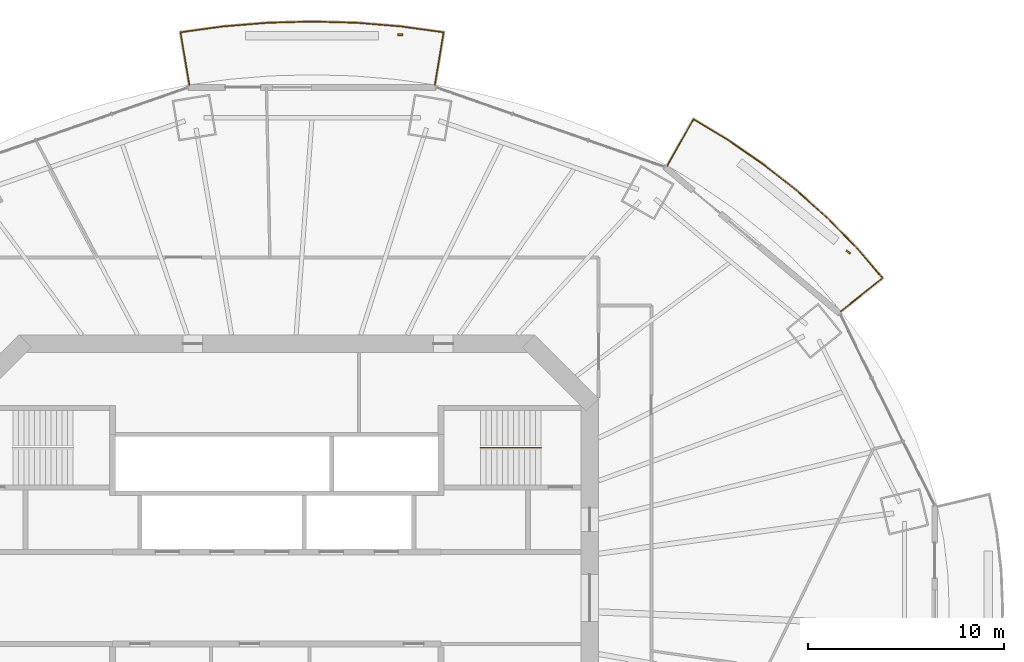
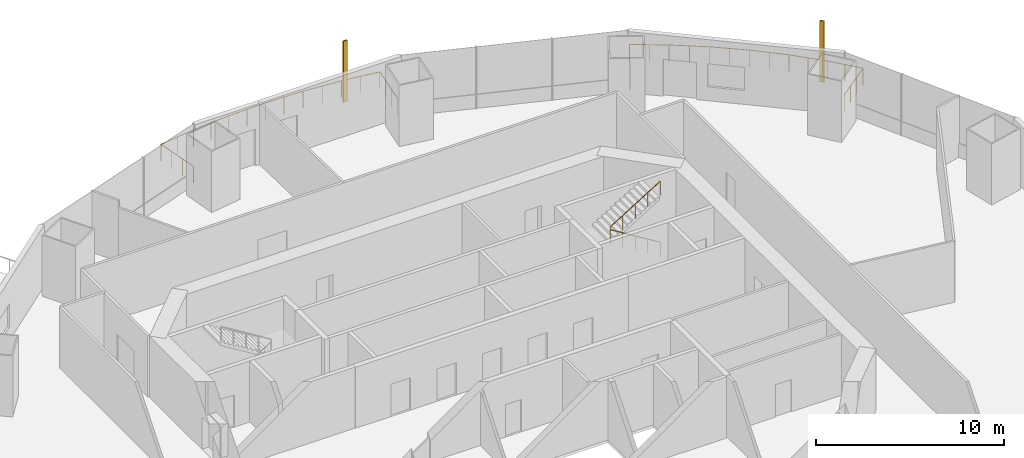
# One storey, part 18 of 20: 3 railings, 2 shading devices.
"""IFC4 building model written with IfcOpenShell, lengths in metres."""

from ifc_helpers import new_model, si_unit, direction, frame, origin, origin_2d, place, context, subcontext, project, spatial, rectangle, circle, extrude, material, material_profile, profile_set, type_object, element, save


model = new_model("IFC4")

# Units and contexts
model_context = context("Model", 3, precision=1e-05, world=origin(), true_north=direction((0.0, 1.0)))
body_context = subcontext(model_context, "Body", "Model", "MODEL_VIEW")
ifc_project = project(units=[si_unit("LENGTHUNIT", "METRE"), si_unit("AREAUNIT", "SQUARE_METRE"), si_unit("VOLUMEUNIT", "CUBIC_METRE"), si_unit("PLANEANGLEUNIT", "RADIAN"), si_unit("MASSUNIT", "GRAM", prefix="KILO")], contexts=[model_context])

# Site, building, storey
site_placement = place(None, origin())
site = spatial("IfcSite", under=ifc_project, at=site_placement, CompositionType="ELEMENT")
building_placement = place(site_placement, origin())
building = spatial("IfcBuilding", under=site, at=building_placement, Name="Marenthal Gate Tower", CompositionType="ELEMENT")
storey_placement = place(building_placement, frame((0.0, 0.0, 173.5)))
storey = spatial("IfcBuildingStorey", under=building, at=storey_placement, Name="L37", CompositionType="ELEMENT", Elevation=173.5)

# Railings
ifc_material_1 = material(Name="Stainless steel", Category="steel")
railing_type_1 = type_object("IfcRailingType", Name="Balcony guard 1100", PredefinedType="GUARDRAIL", material=ifc_material_1)
railing_1_placement = place(storey_placement, frame((19.968505859375, 22.09814453125, 0.0)))
element("IfcRailing", 1, at=railing_1_placement, inside=storey, type_object=railing_type_1, Name="Balcony guard L37 bay 2", PredefinedType="GUARDRAIL", context=body_context, shape_type="SweptSolid", body=[
    extrude(circle(Radius=0.02392578125, at=origin_2d()), frame((0.0, 0.0, 1.076171875), z_axis=(0.489441035624, 0.871912193274, -0.014717332204), x_axis=(-0.87200663665, 0.489494050668, 0.0)), (0.0, 0.0, 1.0), 2.720458984375),
    extrude(circle(Radius=0.02392578125, at=origin_2d()), frame((1.33154296875, 2.3720703125, 1.0361328125), z_axis=(0.856264483042, -0.516537641494, 0.0), x_axis=(0.516537641494, 0.856264483042, 0.0)), (0.0, 0.0, 1.0), 2.1083984375),
    extrude(circle(Radius=0.02392578125, at=origin_2d()), frame((3.136962890625, 1.282958984375, 1.0361328125), z_axis=(0.823473734687, -0.567354393903, 0.0), x_axis=(0.567354393903, 0.823473734687, 0.0)), (0.0, 0.0, 1.0), 2.17041015625),
    extrude(circle(Radius=0.02392578125, at=origin_2d()), frame((4.92431640625, 0.051513671875, 1.0361328125), z_axis=(0.786129411557, -0.618061929167, 0.0), x_axis=(0.618061929167, 0.786129411557, 0.0)), (0.0, 0.0, 1.0), 2.15283203125),
    extrude(circle(Radius=0.02392578125, at=origin_2d()), frame((6.61669921875, -1.279052734375, 1.0361328125), z_axis=(0.744606691868, -0.66750346398, 0.0), x_axis=(0.66750346398, 0.744606691868, 0.0)), (0.0, 0.0, 1.0), 2.13427734375),
    extrude(circle(Radius=0.02392578125, at=origin_2d()), frame((8.205810546875, -2.70361328125, 1.0361328125), z_axis=(0.699100590935, -0.715023330916, 0.0), x_axis=(0.715023330916, 0.699100590935, 0.0)), (0.0, 0.0, 1.0), 2.115966796875),
    extrude(circle(Radius=0.02392578125, at=origin_2d()), frame((9.68505859375, -4.216552734375, 1.0361328125), z_axis=(0.650183496944, -0.759777217546, 0.0), x_axis=(0.759777217546, 0.650183496944, 0.0)), (0.0, 0.0, 1.0), 2.018310546875),
    extrude(circle(Radius=0.02392578125, at=origin_2d()), frame((10.997314453125, -5.75, 1.0361328125), z_axis=(-0.782619614183, -0.622326193205, 0.014718992744), x_axis=(0.622393617256, -0.78270440474, 0.0)), (0.0, 0.0, 1.0), 2.72021484375),
    extrude(circle(Radius=0.02099609375, at=origin_2d()), origin(), (0.0, 0.0, 1.0), 1.052001953125),
    extrude(circle(Radius=0.02099609375, at=origin_2d()), frame((0.44384765625, 0.790771484375, -0.013427734375)), (0.0, 0.0, 1.0), 1.052001953125),
    extrude(circle(Radius=0.02099609375, at=origin_2d()), frame((0.8876953125, 1.581298828125, -0.026611328125)), (0.0, 0.0, 1.0), 1.052001953125),
    extrude(circle(Radius=0.02099609375, at=origin_2d()), frame((1.33154296875, 2.3720703125, -0.0400390625)), (0.0, 0.0, 1.0), 1.052001953125),
    extrude(circle(Radius=0.02099609375, at=origin_2d()), frame((2.234375, 1.82763671875, -0.0400390625)), (0.0, 0.0, 1.0), 1.052001953125),
    extrude(circle(Radius=0.02099609375, at=origin_2d()), frame((3.136962890625, 1.282958984375, -0.0400390625)), (0.0, 0.0, 1.0), 1.052001953125),
    extrude(circle(Radius=0.02099609375, at=origin_2d()), frame((4.03076171875, 0.667236328125, -0.0400390625)), (0.0, 0.0, 1.0), 1.052001953125),
    extrude(circle(Radius=0.02099609375, at=origin_2d()), frame((4.92431640625, 0.051513671875, -0.0400390625)), (0.0, 0.0, 1.0), 1.052001953125),
    extrude(circle(Radius=0.02099609375, at=origin_2d()), frame((5.7705078125, -0.61376953125, -0.0400390625)), (0.0, 0.0, 1.0), 1.052001953125),
    extrude(circle(Radius=0.02099609375, at=origin_2d()), frame((6.61669921875, -1.279052734375, -0.0400390625)), (0.0, 0.0, 1.0), 1.052001953125),
    extrude(circle(Radius=0.02099609375, at=origin_2d()), frame((7.4111328125, -1.9912109375, -0.0400390625)), (0.0, 0.0, 1.0), 1.052001953125),
    extrude(circle(Radius=0.02099609375, at=origin_2d()), frame((8.205810546875, -2.70361328125, -0.0400390625)), (0.0, 0.0, 1.0), 1.052001953125),
    extrude(circle(Radius=0.02099609375, at=origin_2d()), frame((8.9453125, -3.4599609375, -0.0400390625)), (0.0, 0.0, 1.0), 1.052001953125),
    extrude(circle(Radius=0.02099609375, at=origin_2d()), frame((9.68505859375, -4.216552734375, -0.0400390625)), (0.0, 0.0, 1.0), 1.052001953125),
    extrude(circle(Radius=0.02099609375, at=origin_2d()), frame((10.34130859375, -4.9833984375, -0.0400390625)), (0.0, 0.0, 1.0), 1.052001953125),
    extrude(circle(Radius=0.02099609375, at=origin_2d()), frame((10.997314453125, -5.75, -0.0400390625)), (0.0, 0.0, 1.0), 1.052001953125),
    extrude(circle(Radius=0.02099609375, at=origin_2d()), frame((10.28759765625, -6.314208984375, -0.026611328125)), (0.0, 0.0, 1.0), 1.052001953125),
    extrude(circle(Radius=0.02099609375, at=origin_2d()), frame((9.578125, -6.878662109375, -0.013427734375)), (0.0, 0.0, 1.0), 1.052001953125),
    extrude(circle(Radius=0.02099609375, at=origin_2d()), frame((8.868408203125, -7.44287109375, 0.0)), (0.0, 0.0, 1.0), 1.052001953125),
])
railing_2_placement = place(storey_placement, frame((-4.4765625, 26.23388671875, 0.0)))
element("IfcRailing", 2, at=railing_2_placement, inside=storey, type_object=railing_type_1, Name="Balcony guard L37 bay 4", PredefinedType="GUARDRAIL", context=body_context, shape_type="SweptSolid", body=[
    extrude(circle(Radius=0.02392578125, at=origin_2d()), frame((0.0, 0.0, 1.076171875), z_axis=(-0.164788694753, 0.986219051168, -0.014719687331), x_axis=(-0.986325910177, -0.164806549971, 0.0)), (0.0, 0.0, 1.0), 2.72021484375),
    extrude(circle(Radius=0.02392578125, at=origin_2d()), frame((-0.4482421875, 2.6826171875, 1.0361328125), z_axis=(0.990666259572, 0.136309802087, 0.0), x_axis=(-0.136309802087, 0.990666259572, 0.0)), (0.0, 0.0, 1.0), 2.194091796875),
    extrude(circle(Radius=0.02392578125, at=origin_2d()), frame((1.725341796875, 2.981689453125, 1.0361328125), z_axis=(0.996600219709, 0.082389332289, 0.0), x_axis=(-0.082389332289, 0.996600219709, 0.0)), (0.0, 0.0, 1.0), 2.27880859375),
    extrude(circle(Radius=0.02392578125, at=origin_2d()), frame((3.996337890625, 3.16943359375, 1.0361328125), z_axis=(0.999621648056, 0.027505649202, 0.0), x_axis=(-0.027505649202, 0.999621648056, 0.0)), (0.0, 0.0, 1.0), 2.28125),
    extrude(circle(Radius=0.02392578125, at=origin_2d()), frame((6.276611328125, 3.232177734375, 1.0361328125), z_axis=(0.999621567071, -0.027508592219, 0.0), x_axis=(0.027508592219, 0.999621567071, 0.0)), (0.0, 0.0, 1.0), 2.281005859375),
    extrude(circle(Radius=0.02392578125, at=origin_2d()), frame((8.556640625, 3.16943359375, 1.0361328125), z_axis=(0.996600946848, -0.082380536185, 0.0), x_axis=(0.082380536185, 0.996600946848, 0.0)), (0.0, 0.0, 1.0), 2.279052734375),
    extrude(circle(Radius=0.02392578125, at=origin_2d()), frame((10.827880859375, 2.981689453125, 1.0361328125), z_axis=(0.990666259572, -0.136309802087, 0.0), x_axis=(0.136309802087, 0.990666259572, 0.0)), (0.0, 0.0, 1.0), 2.194091796875),
    extrude(circle(Radius=0.02392578125, at=origin_2d()), frame((13.00146484375, 2.6826171875, 1.0361328125), z_axis=(-0.164788694753, -0.986219051168, 0.014719687331), x_axis=(0.986325910177, -0.164806549971, 0.0)), (0.0, 0.0, 1.0), 2.72021484375),
    extrude(circle(Radius=0.02099609375, at=origin_2d()), origin(), (0.0, 0.0, 1.0), 1.052001953125),
    extrude(circle(Radius=0.02099609375, at=origin_2d()), frame((-0.1494140625, 0.894287109375, -0.013427734375)), (0.0, 0.0, 1.0), 1.052001953125),
    extrude(circle(Radius=0.02099609375, at=origin_2d()), frame((-0.298828125, 1.788330078125, -0.026611328125)), (0.0, 0.0, 1.0), 1.052001953125),
    extrude(circle(Radius=0.02099609375, at=origin_2d()), frame((-0.4482421875, 2.6826171875, -0.0400390625)), (0.0, 0.0, 1.0), 1.052001953125),
    extrude(circle(Radius=0.02099609375, at=origin_2d()), frame((0.638671875, 2.83203125, -0.0400390625)), (0.0, 0.0, 1.0), 1.052001953125),
    extrude(circle(Radius=0.02099609375, at=origin_2d()), frame((1.725341796875, 2.981689453125, -0.0400390625)), (0.0, 0.0, 1.0), 1.052001953125),
    extrude(circle(Radius=0.02099609375, at=origin_2d()), frame((2.86083984375, 3.07568359375, -0.0400390625)), (0.0, 0.0, 1.0), 1.052001953125),
    extrude(circle(Radius=0.02099609375, at=origin_2d()), frame((3.996337890625, 3.16943359375, -0.0400390625)), (0.0, 0.0, 1.0), 1.052001953125),
    extrude(circle(Radius=0.02099609375, at=origin_2d()), frame((5.136474609375, 3.20068359375, -0.0400390625)), (0.0, 0.0, 1.0), 1.052001953125),
    extrude(circle(Radius=0.02099609375, at=origin_2d()), frame((6.276611328125, 3.232177734375, -0.0400390625)), (0.0, 0.0, 1.0), 1.052001953125),
    extrude(circle(Radius=0.02099609375, at=origin_2d()), frame((7.41650390625, 3.20068359375, -0.0400390625)), (0.0, 0.0, 1.0), 1.052001953125),
    extrude(circle(Radius=0.02099609375, at=origin_2d()), frame((8.556640625, 3.16943359375, -0.0400390625)), (0.0, 0.0, 1.0), 1.052001953125),
    extrude(circle(Radius=0.02099609375, at=origin_2d()), frame((9.6923828125, 3.07568359375, -0.0400390625)), (0.0, 0.0, 1.0), 1.052001953125),
    extrude(circle(Radius=0.02099609375, at=origin_2d()), frame((10.827880859375, 2.981689453125, -0.0400390625)), (0.0, 0.0, 1.0), 1.052001953125),
    extrude(circle(Radius=0.02099609375, at=origin_2d()), frame((11.91455078125, 2.83203125, -0.0400390625)), (0.0, 0.0, 1.0), 1.052001953125),
    extrude(circle(Radius=0.02099609375, at=origin_2d()), frame((13.00146484375, 2.6826171875, -0.0400390625)), (0.0, 0.0, 1.0), 1.052001953125),
    extrude(circle(Radius=0.02099609375, at=origin_2d()), frame((12.85205078125, 1.788330078125, -0.026611328125)), (0.0, 0.0, 1.0), 1.052001953125),
    extrude(circle(Radius=0.02099609375, at=origin_2d()), frame((12.70263671875, 0.894287109375, -0.013427734375)), (0.0, 0.0, 1.0), 1.052001953125),
    extrude(circle(Radius=0.02099609375, at=origin_2d()), frame((12.55322265625, 0.0, 0.0)), (0.0, 0.0, 1.0), 1.052001953125),
])
ifc_material_2 = material(Name="Stainless steel", Category="steel")
railing_type_2 = type_object("IfcRailingType", Name="Stair handrail", PredefinedType="HANDRAIL", material=ifc_material_2)
railing_3_placement = place(storey_placement, frame((13.5, 7.675048828125, 0.1728515625)))
element("IfcRailing", 3, at=railing_3_placement, inside=storey, type_object=railing_type_2, Name="Handrail ST3", PredefinedType="HANDRAIL", context=body_context, shape_type="SweptSolid", body=[
    extrude(circle(Radius=0.0224609375, at=origin_2d()), frame((0.0, 0.0, 0.927490234375), z_axis=(-0.850835241893, 0.0, 0.525432575268), x_axis=(0.0, -1.0, 0.0)), (0.0, 0.0, 1.0), 3.6201171875),
    extrude(circle(Radius=0.0224609375, at=origin_2d()), frame((-3.080078125, 0.0, 2.82958984375), z_axis=(0.0, 0.0, 1.0), x_axis=(1.0, 0.0, 0.0)), (0.0, 0.0, 1.0), 0.1728515625),
    extrude(circle(Radius=0.0224609375, at=origin_2d()), frame((-3.080078125, 0.0, 3.00244140625), z_axis=(0.850835241893, 0.0, 0.525432575268), x_axis=(0.0, 1.0, 0.0)), (0.0, 0.0, 1.0), 3.6201171875),
    extrude(circle(Radius=0.02001953125, at=origin_2d()), origin(), (0.0, 0.0, 1.0), 0.905029296875),
    extrude(circle(Radius=0.02001953125, at=origin_2d()), frame((-0.77001953125, 0.0, 0.4755859375)), (0.0, 0.0, 1.0), 0.905029296875),
    extrude(circle(Radius=0.02001953125, at=origin_2d()), frame((-1.5400390625, 0.0, 0.951171875)), (0.0, 0.0, 1.0), 0.905029296875),
    extrude(circle(Radius=0.02001953125, at=origin_2d()), frame((-2.31005859375, 0.0, 1.426513671875)), (0.0, 0.0, 1.0), 0.905029296875),
    extrude(circle(Radius=0.02001953125, at=origin_2d()), frame((-3.080078125, 0.0, 1.902099609375)), (0.0, 0.0, 1.0), 0.905029296875),
    extrude(circle(Radius=0.02001953125, at=origin_2d()), frame((-3.080078125, 0.0, 2.074951171875)), (0.0, 0.0, 1.0), 0.905029296875),
    extrude(circle(Radius=0.02001953125, at=origin_2d()), frame((-2.31005859375, 0.0, 2.550537109375)), (0.0, 0.0, 1.0), 0.905029296875),
    extrude(circle(Radius=0.02001953125, at=origin_2d()), frame((-1.5400390625, 0.0, 3.02587890625)), (0.0, 0.0, 1.0), 0.905029296875),
    extrude(circle(Radius=0.02001953125, at=origin_2d()), frame((-0.77001953125, 0.0, 3.50146484375)), (0.0, 0.0, 1.0), 0.905029296875),
    extrude(circle(Radius=0.02001953125, at=origin_2d()), frame((0.0, 0.0, 3.97705078125)), (0.0, 0.0, 1.0), 0.905029296875),
])

# Shading devices
ifc_material_3 = material(Name="Terracotta", Category="masonry")
ifc_material_profile = material_profile(ifc_material_3, rectangle(XDim=0.25, YDim=0.080078125, at=origin_2d()), Name="Terracotta baguette 250x80")
ifc_profile_set = profile_set([ifc_material_profile], Name="Terracotta")
shading_device_type = type_object("IfcShadingDeviceType", Name="Terracotta BAGUETTE SCREEN 250x80", PredefinedType="USERDEFINED", material=ifc_profile_set)
for number, where, z_axis, x_axis, name in (
    (4, (29.217529296875, 17.68359375, -0.0400390625), (0.0, 0.0, 1.0), (-0.765850387542, 0.643018805247, 0.0), "Terracotta BAGUETTE L37 bay 2L"),
    (5, (6.316650390625, 28.791015625, -0.0400390625), (0.0, 0.0, 1.0), (-1.0, 0.0, 0.0), "Terracotta BAGUETTE L37 bay 4L"),
):
    element("IfcShadingDevice", number, at=place(storey_placement, frame(where, z_axis=z_axis, x_axis=x_axis)), inside=storey, type_object=shading_device_type, Name=name, ObjectType="BAGUETTE SCREEN", PredefinedType="USERDEFINED", context=body_context, shape_type="SweptSolid", body=[
        extrude(rectangle(XDim=0.25, YDim=0.080078125, at=origin_2d()), origin(), (0.0, 0.0, 1.0), 3.969970703125),
    ])

save(model, "model.ifc")
